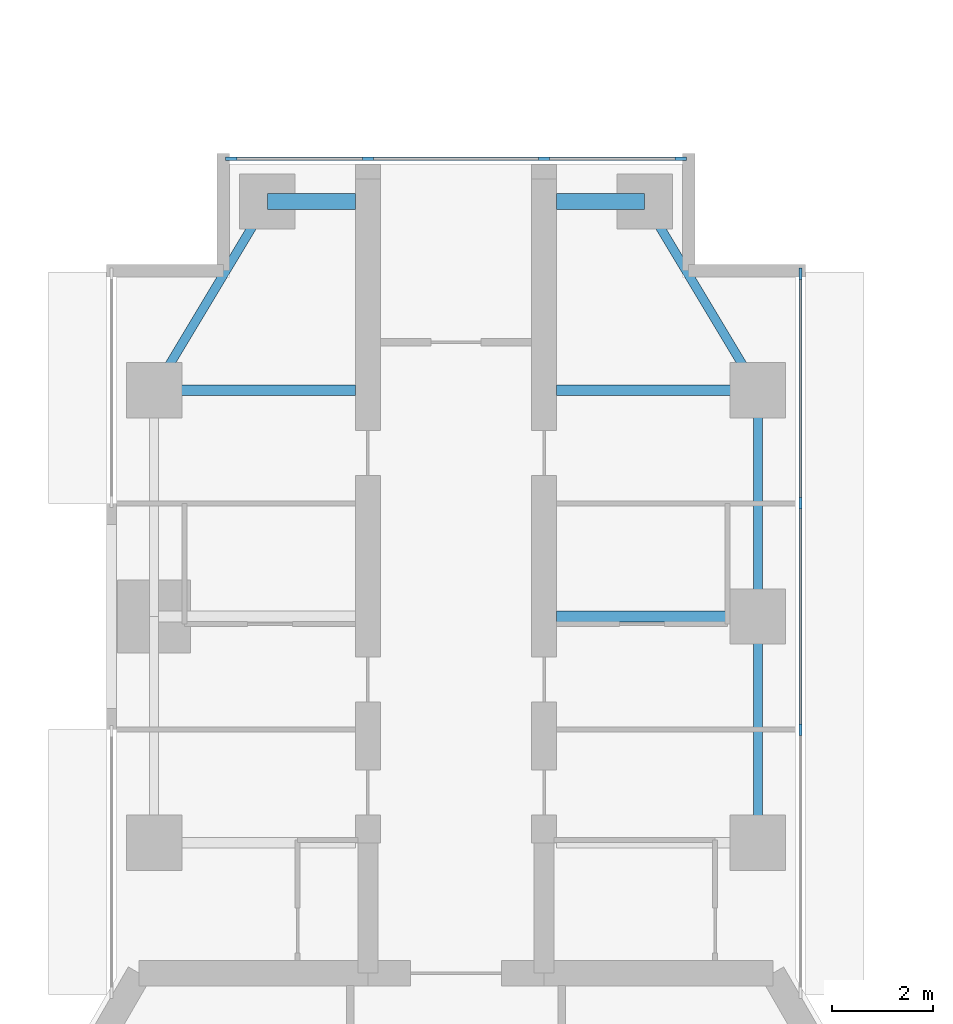
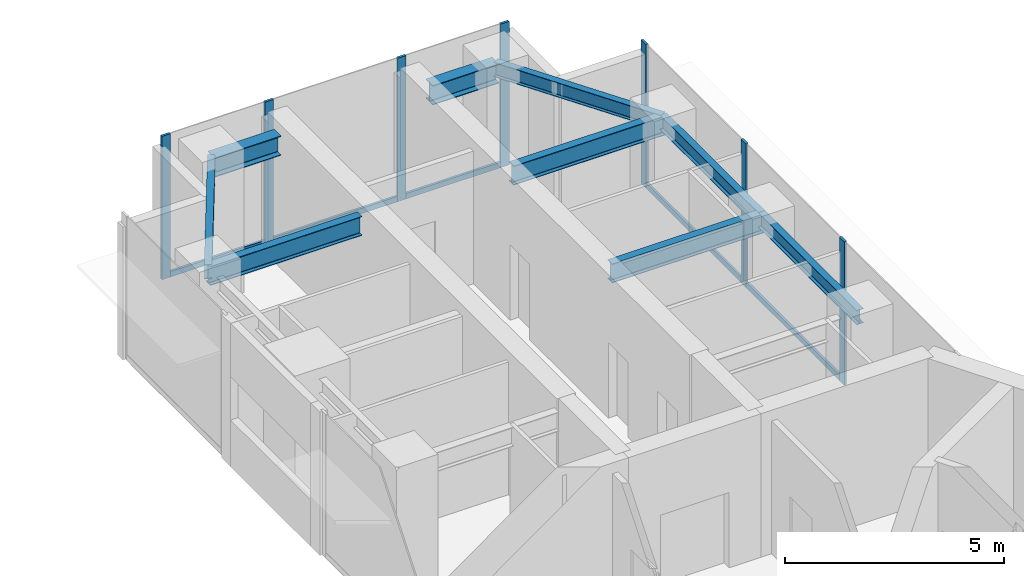
# One storey, part 9 of 17: 12 members, 9 beams, 2 elements without a shape of their own.
"""IFC4 building model written with IfcOpenShell, lengths in metres."""

from ifc_helpers import new_model, si_unit, direction, frame, origin, origin_2d, place, context, subcontext, project, spatial, rectangle, i_section, extrude, material, material_profile, profile_set, type_object, element, aggregate, save


model = new_model("IFC4")

# Units and contexts
model_context = context("Model", 3, precision=1e-05, world=origin(), true_north=direction((0.0, 1.0)))
body_context = subcontext(model_context, "Body", "Model", "MODEL_VIEW")
ifc_project = project(units=[si_unit("LENGTHUNIT", "METRE"), si_unit("AREAUNIT", "SQUARE_METRE"), si_unit("VOLUMEUNIT", "CUBIC_METRE"), si_unit("PLANEANGLEUNIT", "RADIAN"), si_unit("MASSUNIT", "GRAM", prefix="KILO")], contexts=[model_context])

# Site, building, storey
site_placement = place(None, origin())
site = spatial("IfcSite", under=ifc_project, at=site_placement, CompositionType="ELEMENT")
building_placement = place(site_placement, origin())
building = spatial("IfcBuilding", under=site, at=building_placement, Name="Upepo Twin Towers", CompositionType="ELEMENT")
storey_placement = place(building_placement, frame((0.0, 0.0, 234.5)))
storey = spatial("IfcBuildingStorey", under=building, at=storey_placement, Name="L57", CompositionType="ELEMENT", Elevation=234.5)

# Beams
ifc_material_1 = material(Name="Steel S355", Category="steel")
ifc_material_profile_1 = material_profile(ifc_material_1, i_section(OverallWidth=0.177978515625, OverallDepth=0.406494140625, WebThickness=0.0078125, FlangeThickness=0.0126953125, FilletRadius=0.01025390625, at=origin_2d()), Name="UB 406x178x60")
ifc_profile_set_1 = profile_set([ifc_material_profile_1], Name="Steel S355")
beam_type_1 = type_object("IfcBeamType", Name="Beam UB 406x178x60", PredefinedType="BEAM", material=ifc_profile_set_1)
beam_1_placement = place(storey_placement, frame((52.5, 4.5, 3.496826171875), z_axis=(0.514495755428, 0.857492925713, 0.0), x_axis=(-0.857492925713, 0.514495755428, 0.0)))
element("IfcBeam", 1, at=beam_1_placement, inside=storey, type_object=beam_type_1, Name="T2 nose edge beam AL", PredefinedType="BEAM", context=body_context, shape_type="SweptSolid", body=[
    extrude(i_section(OverallWidth=0.177978515625, OverallDepth=0.406494140625, WebThickness=0.0078125, FlangeThickness=0.0126953125, FilletRadius=0.01025390625, at=origin_2d()), origin(), (0.0, 0.0, 1.0), 4.373291015625),
])
for number, where, z_axis, x_axis, name in (
    (2, (64.5, -4.5, 3.496826171875), (0.0, 1.0, 0.0), (-1.0, 0.0, 0.0), "T2 edge beam AR 13.5-18.0"),
    (3, (64.5, 0.0, 3.496826171875), (0.0, 1.0, 0.0), (-1.0, 0.0, 0.0), "T2 edge beam AR 18.0-22.5"),
):
    element("IfcBeam", number, at=place(storey_placement, frame(where, z_axis=z_axis, x_axis=x_axis)), inside=storey, type_object=beam_type_1, Name=name, PredefinedType="BEAM", context=body_context, shape_type="SweptSolid", body=[
        extrude(i_section(OverallWidth=0.177978515625, OverallDepth=0.406494140625, WebThickness=0.0078125, FlangeThickness=0.0126953125, FilletRadius=0.01025390625, at=origin_2d()), origin(), (0.0, 0.0, 1.0), 4.5),
    ])
beam_2_placement = place(storey_placement, frame((64.5, 4.5, 3.496826171875), z_axis=(-0.514495755428, 0.857492925713, 0.0), x_axis=(-0.857492925713, -0.514495755428, 0.0)))
element("IfcBeam", 4, at=beam_2_placement, inside=storey, type_object=beam_type_1, Name="T2 nose edge beam AR", PredefinedType="BEAM", context=body_context, shape_type="SweptSolid", body=[
    extrude(i_section(OverallWidth=0.177978515625, OverallDepth=0.406494140625, WebThickness=0.0078125, FlangeThickness=0.0126953125, FilletRadius=0.01025390625, at=origin_2d()), origin(), (0.0, 0.0, 1.0), 4.373291015625),
])
ifc_material_2 = material(Name="Steel S355", Category="steel")
ifc_material_profile_2 = material_profile(ifc_material_2, i_section(OverallWidth=0.209228515625, OverallDepth=0.533203125, WebThickness=0.010009765625, FlangeThickness=0.015625, FilletRadius=0.0126953125, at=origin_2d()), Name="UB 533x210x92")
ifc_profile_set_2 = profile_set([ifc_material_profile_2], Name="Steel S355")
beam_type_2 = type_object("IfcBeamType", Name="Beam UB 533x210x92", PredefinedType="BEAM", material=ifc_profile_set_2)
for number, where, z_axis, x_axis, name in (
    (5, (52.5, 4.5, 3.433349609375), (1.0, 0.0, 0.0), (0.0, 1.0, 0.0), "T2 girder AL at 22.5"),
    (6, (64.5, 0.0, 3.433349609375), (-1.0, 0.0, 0.0), (0.0, -1.0, 0.0), "T2 girder AR at 18.0"),
    (7, (64.5, 4.5, 3.433349609375), (-1.0, 0.0, 0.0), (0.0, -1.0, 0.0), "T2 girder AR at 22.5"),
):
    element("IfcBeam", number, at=place(storey_placement, frame(where, z_axis=z_axis, x_axis=x_axis)), inside=storey, type_object=beam_type_2, Name=name, PredefinedType="BEAM", context=body_context, shape_type="SweptSolid", body=[
        extrude(i_section(OverallWidth=0.209228515625, OverallDepth=0.533203125, WebThickness=0.010009765625, FlangeThickness=0.015625, FilletRadius=0.0126953125, at=origin_2d()), origin(), (0.0, 0.0, 1.0), 4.0),
    ])
ifc_material_3 = material(Name="Steel S355", Category="steel")
ifc_material_profile_3 = material_profile(ifc_material_3, i_section(OverallWidth=0.31201171875, OverallDepth=0.54345703125, WebThickness=0.0126953125, FlangeThickness=0.020263671875, FilletRadius=0.0126953125, at=origin_2d()), Name="UB 533x312x150")
ifc_profile_set_3 = profile_set([ifc_material_profile_3], Name="Steel S355")
beam_type_3 = type_object("IfcBeamType", Name="Beam UB 533x312x150", PredefinedType="BEAM", material=ifc_profile_set_3)
for number, where, z_axis, x_axis, name in (
    (8, (54.75, 8.25, 3.42822265625), (1.0, 0.0, 0.0), (0.0, 1.0, 0.0), "T2 nose beam AL"),
    (9, (62.25, 8.25, 3.42822265625), (-1.0, 0.0, 0.0), (0.0, -1.0, 0.0), "T2 nose beam AR"),
):
    element("IfcBeam", number, at=place(storey_placement, frame(where, z_axis=z_axis, x_axis=x_axis)), inside=storey, type_object=beam_type_3, Name=name, PredefinedType="BEAM", context=body_context, shape_type="SweptSolid", body=[
        extrude(i_section(OverallWidth=0.31201171875, OverallDepth=0.54345703125, WebThickness=0.0126953125, FlangeThickness=0.020263671875, FilletRadius=0.0126953125, at=origin_2d()), origin(), (0.0, 0.0, 1.0), 1.75),
    ])

# Curtain wall, members
ifc_material_4 = material(Name="Aluminium and fritted glass", Category="aluminium")
curtain_wall_type = type_object("IfcCurtainWallType", Name="Tower curtain wall TW3, fritted glass", PredefinedType="NOTDEFINED", material=ifc_material_4)
curtain_wall_1_placement = place(storey_placement, origin())
curtain_wall_1 = element("IfcCurtainWall", 10, at=curtain_wall_1_placement, inside=storey, type_object=curtain_wall_type, Name="T2 L57 wing A flank R curtain wall", PredefinedType="NOTDEFINED")
ifc_material_5 = material(Name="Aluminium mullion", Category="aluminium")
ifc_material_profile_4 = material_profile(ifc_material_5, rectangle(XDim=0.06494140625, YDim=0.22509765625, at=origin_2d()), Name="MULLION 65x225")
ifc_profile_set_4 = profile_set([ifc_material_profile_4], Name="Aluminium mullion")
member_type_1 = type_object("IfcMemberType", Name="Mullion 65x225 TW3", PredefinedType="MULLION", material=ifc_profile_set_4)
member_1_placement = place(storey_placement, frame((65.35009765625, 6.8173828125, 0.0), z_axis=(0.0, 0.0, 1.0), x_axis=(1.0, 0.0, 0.0)))
member_1 = element("IfcMember", 11, at=member_1_placement, type_object=member_type_1, Name="T2 L57 wing A flank R curtain wall mullion 1", PredefinedType="MULLION", context=body_context, shape_type="SweptSolid", body=[
    extrude(rectangle(XDim=0.06494140625, YDim=0.22509765625, at=origin_2d()), origin(), (0.0, 0.0, 1.0), 4.0),
])
member_2_placement = place(storey_placement, frame((65.35009765625, 2.25, 0.0), z_axis=(0.0, 0.0, 1.0), x_axis=(1.0, 0.0, 0.0)))
member_2 = element("IfcMember", 12, at=member_2_placement, type_object=member_type_1, Name="T2 L57 wing A flank R curtain wall mullion 2", PredefinedType="MULLION", context=body_context, shape_type="SweptSolid", body=[
    extrude(rectangle(XDim=0.06494140625, YDim=0.22509765625, at=origin_2d()), origin(), (0.0, 0.0, 1.0), 4.0),
])
member_3_placement = place(storey_placement, frame((65.35009765625, -2.25, 0.0), z_axis=(0.0, 0.0, 1.0), x_axis=(1.0, 0.0, 0.0)))
member_3 = element("IfcMember", 13, at=member_3_placement, type_object=member_type_1, Name="T2 L57 wing A flank R curtain wall mullion 3", PredefinedType="MULLION", context=body_context, shape_type="SweptSolid", body=[
    extrude(rectangle(XDim=0.06494140625, YDim=0.22509765625, at=origin_2d()), origin(), (0.0, 0.0, 1.0), 4.0),
])

curtain_wall_2_placement = place(storey_placement, origin())
curtain_wall_2 = element("IfcCurtainWall", 14, at=curtain_wall_2_placement, inside=storey, type_object=curtain_wall_type, Name="T2 L57 wing A nose curtain wall", PredefinedType="NOTDEFINED")
member_4_placement = place(storey_placement, frame((62.967529296875, 9.10009765625, 0.0), z_axis=(0.0, 0.0, 1.0), x_axis=(0.0, -1.0, 0.0)))
member_4 = element("IfcMember", 15, at=member_4_placement, type_object=member_type_1, Name="T2 L57 wing A nose curtain wall mullion 1", PredefinedType="MULLION", context=body_context, shape_type="SweptSolid", body=[
    extrude(rectangle(XDim=0.06494140625, YDim=0.22509765625, at=origin_2d()), origin(), (0.0, 0.0, 1.0), 4.0),
])
member_5_placement = place(storey_placement, frame((60.25, 9.10009765625, 0.0), z_axis=(0.0, 0.0, 1.0), x_axis=(0.0, -1.0, 0.0)))
member_5 = element("IfcMember", 16, at=member_5_placement, type_object=member_type_1, Name="T2 L57 wing A nose curtain wall mullion 2", PredefinedType="MULLION", context=body_context, shape_type="SweptSolid", body=[
    extrude(rectangle(XDim=0.06494140625, YDim=0.22509765625, at=origin_2d()), origin(), (0.0, 0.0, 1.0), 4.0),
])
member_6_placement = place(storey_placement, frame((56.75, 9.10009765625, 0.0), z_axis=(0.0, 0.0, 1.0), x_axis=(0.0, -1.0, 0.0)))
member_6 = element("IfcMember", 17, at=member_6_placement, type_object=member_type_1, Name="T2 L57 wing A nose curtain wall mullion 3", PredefinedType="MULLION", context=body_context, shape_type="SweptSolid", body=[
    extrude(rectangle(XDim=0.06494140625, YDim=0.22509765625, at=origin_2d()), origin(), (0.0, 0.0, 1.0), 4.0),
])
member_7_placement = place(storey_placement, frame((54.032470703125, 9.10009765625, 0.0), z_axis=(0.0, 0.0, 1.0), x_axis=(0.0, -1.0, 0.0)))
member_7 = element("IfcMember", 18, at=member_7_placement, type_object=member_type_1, Name="T2 L57 wing A nose curtain wall mullion 4", PredefinedType="MULLION", context=body_context, shape_type="SweptSolid", body=[
    extrude(rectangle(XDim=0.06494140625, YDim=0.22509765625, at=origin_2d()), origin(), (0.0, 0.0, 1.0), 4.0),
])

# Member
ifc_material_6 = material(Name="Aluminium transom", Category="aluminium")
ifc_material_profile_5 = material_profile(ifc_material_6, rectangle(XDim=0.06494140625, YDim=0.14990234375, at=origin_2d()), Name="TRANSOM 65x150")
ifc_profile_set_5 = profile_set([ifc_material_profile_5], Name="Aluminium transom")
member_type_2 = type_object("IfcMemberType", Name="Transom 65x150 TW3", PredefinedType="USERDEFINED", material=ifc_profile_set_5)
member_8_placement = place(storey_placement, frame((65.35009765625, 6.784912109375, 0.074951171875), z_axis=(0.0, -1.0, 0.0), x_axis=(1.0, 0.0, 0.0)))
member_8 = element("IfcMember", 19, at=member_8_placement, type_object=member_type_2, Name="T2 L57 wing A flank R curtain wall transom 1", ObjectType="TRANSOM", PredefinedType="USERDEFINED", context=body_context, shape_type="SweptSolid", body=[
    extrude(rectangle(XDim=0.06494140625, YDim=0.14990234375, at=origin_2d()), origin(), (0.0, 0.0, 1.0), 4.50244140625),
])

member_9_placement = place(storey_placement, frame((65.35009765625, 2.217529296875, 0.074951171875), z_axis=(0.0, -1.0, 0.0), x_axis=(1.0, 0.0, 0.0)))
member_9 = element("IfcMember", 20, at=member_9_placement, type_object=member_type_2, Name="T2 L57 wing A flank R curtain wall transom 2", ObjectType="TRANSOM", PredefinedType="USERDEFINED", context=body_context, shape_type="SweptSolid", body=[
    extrude(rectangle(XDim=0.06494140625, YDim=0.14990234375, at=origin_2d()), origin(), (0.0, 0.0, 1.0), 4.43505859375),
])

aggregate(curtain_wall_1, [member_1, member_2, member_3, member_8, member_9])

member_10_placement = place(storey_placement, frame((62.93505859375, 9.10009765625, 0.074951171875), z_axis=(-1.0, 0.0, 0.0), x_axis=(0.0, -1.0, 0.0)))
member_10 = element("IfcMember", 21, at=member_10_placement, type_object=member_type_2, Name="T2 L57 wing A nose curtain wall transom 1", ObjectType="TRANSOM", PredefinedType="USERDEFINED", context=body_context, shape_type="SweptSolid", body=[
    extrude(rectangle(XDim=0.06494140625, YDim=0.14990234375, at=origin_2d()), origin(), (0.0, 0.0, 1.0), 2.652587890625),
])

member_11_placement = place(storey_placement, frame((60.217529296875, 9.10009765625, 0.074951171875), z_axis=(-1.0, 0.0, 0.0), x_axis=(0.0, -1.0, 0.0)))
member_11 = element("IfcMember", 22, at=member_11_placement, type_object=member_type_2, Name="T2 L57 wing A nose curtain wall transom 2", ObjectType="TRANSOM", PredefinedType="USERDEFINED", context=body_context, shape_type="SweptSolid", body=[
    extrude(rectangle(XDim=0.06494140625, YDim=0.14990234375, at=origin_2d()), origin(), (0.0, 0.0, 1.0), 3.43505859375),
])

member_12_placement = place(storey_placement, frame((56.717529296875, 9.10009765625, 0.074951171875), z_axis=(-1.0, 0.0, 0.0), x_axis=(0.0, -1.0, 0.0)))
member_12 = element("IfcMember", 23, at=member_12_placement, type_object=member_type_2, Name="T2 L57 wing A nose curtain wall transom 3", ObjectType="TRANSOM", PredefinedType="USERDEFINED", context=body_context, shape_type="SweptSolid", body=[
    extrude(rectangle(XDim=0.06494140625, YDim=0.14990234375, at=origin_2d()), origin(), (0.0, 0.0, 1.0), 2.652587890625),
])

aggregate(curtain_wall_2, [member_4, member_5, member_6, member_7, member_10, member_11, member_12])

save(model, "model.ifc")
